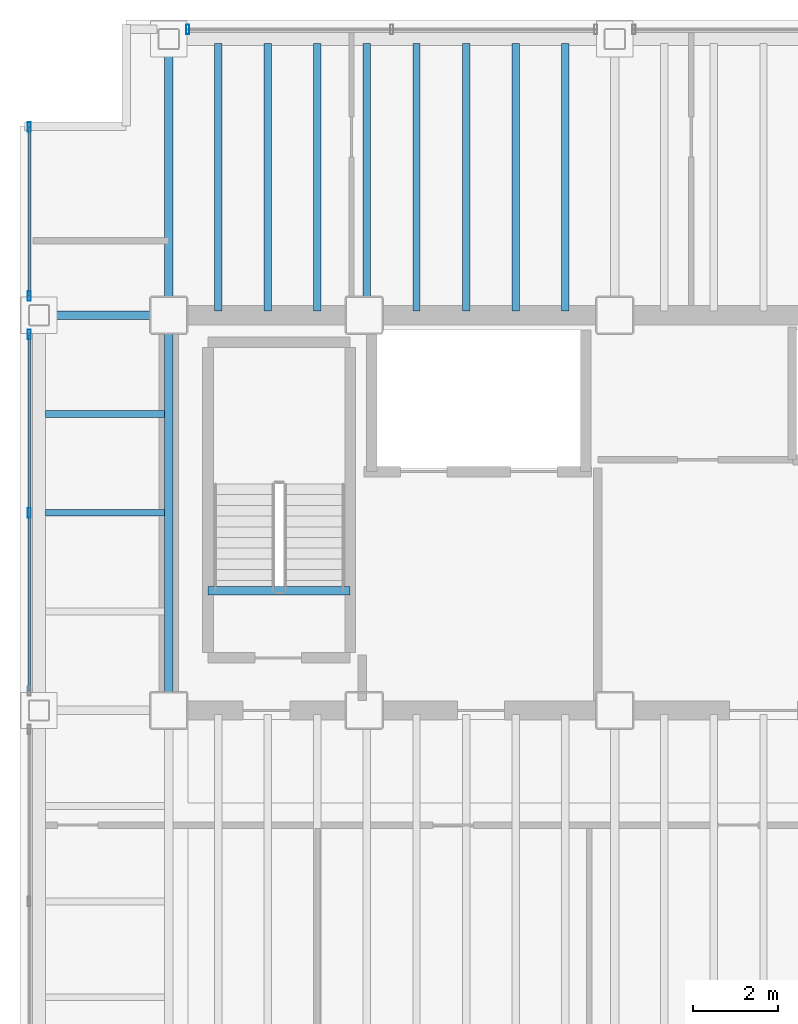
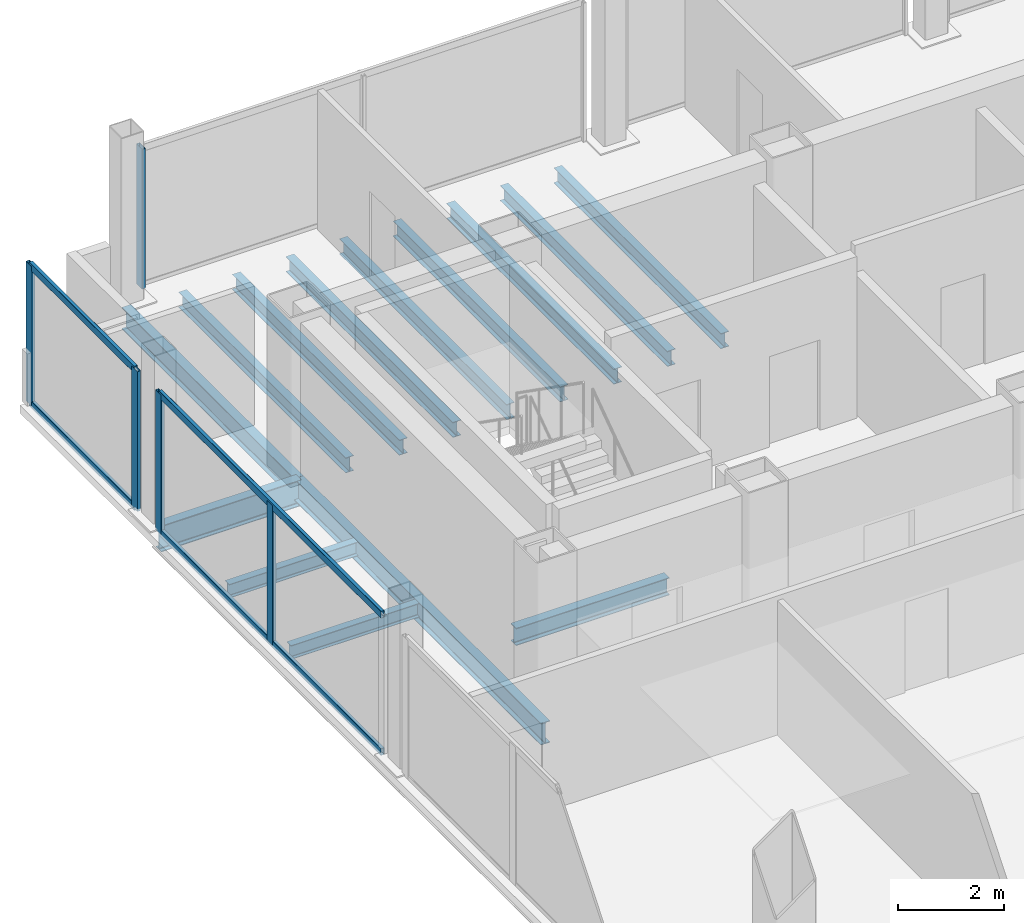
# One storey, part 6 of 16: 14 beams, 9 members, 3 elements without a shape of their own.
"""IFC4 building model written with IfcOpenShell, lengths in metres."""

from ifc_helpers import new_model, si_unit, direction, frame, origin, origin_2d, place, context, subcontext, project, spatial, hollow_rectangle, i_section, extrude, material, material_profile, profile_set, type_object, element, aggregate, save


model = new_model("IFC4")

# Units and contexts
model_context = context("Model", 3, precision=1e-05, world=origin(), true_north=direction((0.0, 1.0)))
body_context = subcontext(model_context, "Body", "Model", "MODEL_VIEW")
ifc_project = project(units=[si_unit("LENGTHUNIT", "METRE"), si_unit("AREAUNIT", "SQUARE_METRE"), si_unit("VOLUMEUNIT", "CUBIC_METRE"), si_unit("PLANEANGLEUNIT", "RADIAN"), si_unit("MASSUNIT", "GRAM", prefix="KILO")], contexts=[model_context])

# Site, building, storey
site_placement = place(None, origin())
site = spatial("IfcSite", under=ifc_project, at=site_placement, CompositionType="ELEMENT")
building_placement = place(site_placement, origin())
building = spatial("IfcBuilding", under=site, at=building_placement, Name="Noeulbin Bourse Tower", CompositionType="ELEMENT")
storey_placement = place(building_placement, frame((0.0, 0.0, 181.199951171875)))
storey = spatial("IfcBuildingStorey", under=building, at=storey_placement, Name="L45", CompositionType="ELEMENT", Elevation=181.199951171875)

# Beams
ifc_material_1 = material(Name="Steel S355", Category="steel")
ifc_material_profile_1 = material_profile(ifc_material_1, i_section(OverallWidth=0.199951171875, OverallDepth=0.5, WebThickness=0.010009765625, FlangeThickness=0.01611328125, FilletRadius=0.02001953125, at=origin_2d()), Name="H-500x200x10x16", Category="LoadBearing")
ifc_profile_set_1 = profile_set([ifc_material_profile_1], Name="Steel S355")
beam_type_1 = type_object("IfcBeamType", Name="BM-GRD-500", PredefinedType="USERDEFINED", material=ifc_profile_set_1)
beam_1_placement = place(storey_placement, frame((13.5, 29.0, -0.429931640625), z_axis=(0.0, 1.0, 0.0), x_axis=(-1.0, 0.0, 0.0)))
element("IfcBeam", 1, at=beam_1_placement, inside=storey, type_object=beam_type_1, Name="Tower Primary Girder NS L45-1.3", ObjectType="GIRDER", PredefinedType="USERDEFINED", context=body_context, shape_type="SweptSolid", body=[
    extrude(i_section(OverallWidth=0.199951171875, OverallDepth=0.5, WebThickness=0.010009765625, FlangeThickness=0.01611328125, FilletRadius=0.02001953125, at=origin_2d()), origin(), (0.0, 0.0, 1.0), 9.300048828125),
])
beam_2_placement = place(storey_placement, frame((13.5, 38.300048828125, -0.429931640625), z_axis=(0.0, 1.0, 0.0), x_axis=(-1.0, 0.0, 0.0)))
element("IfcBeam", 2, at=beam_2_placement, inside=storey, type_object=beam_type_1, Name="Tower Primary Girder NS L45-1.4", ObjectType="GIRDER", PredefinedType="USERDEFINED", context=body_context, shape_type="SweptSolid", body=[
    extrude(i_section(OverallWidth=0.199951171875, OverallDepth=0.5, WebThickness=0.010009765625, FlangeThickness=0.01611328125, FilletRadius=0.02001953125, at=origin_2d()), origin(), (0.0, 0.0, 1.0), 6.5),
])
ifc_material_profile_2 = material_profile(ifc_material_1, i_section(OverallWidth=0.199951171875, OverallDepth=0.60009765625, WebThickness=0.010986328125, FlangeThickness=0.01708984375, FilletRadius=0.02197265625, at=origin_2d()), Name="H-600x200x11x17", Category="LoadBearing")
ifc_profile_set_2 = profile_set([ifc_material_profile_2], Name="Steel S355")
beam_type_2 = type_object("IfcBeamType", Name="BM-GRD-600", PredefinedType="USERDEFINED", material=ifc_profile_set_2)
beam_3_placement = place(storey_placement, frame((10.449951171875, 38.300048828125, -0.47998046875), z_axis=(1.0, 0.0, 0.0), x_axis=(0.0, 1.0, 0.0)))
element("IfcBeam", 3, at=beam_3_placement, inside=storey, type_object=beam_type_2, Name="Tower Primary Girder EW L45-3.1", ObjectType="GIRDER", PredefinedType="USERDEFINED", context=body_context, shape_type="SweptSolid", body=[
    extrude(i_section(OverallWidth=0.199951171875, OverallDepth=0.60009765625, WebThickness=0.010986328125, FlangeThickness=0.01708984375, FilletRadius=0.02197265625, at=origin_2d()), origin(), (0.0, 0.0, 1.0), 3.050048828125),
])
ifc_material_profile_3 = material_profile(ifc_material_1, i_section(OverallWidth=0.159912109375, OverallDepth=0.320068359375, WebThickness=0.006591796875, FlangeThickness=0.010009765625, FilletRadius=0.012939453125, at=origin_2d()), Name="H-320x160x6.5x10", Category="LoadBearing")
ifc_profile_set_3 = profile_set([ifc_material_profile_3], Name="Steel S355")
beam_type_3 = type_object("IfcBeamType", Name="BM-JST-320", PredefinedType="JOIST", material=ifc_profile_set_3)
for number, where, z_axis, x_axis, name in (
    (4, (10.60009765625, 33.64990234375, -0.33984375), (1.0, 0.0, 0.0), (0.0, 1.0, 0.0), "Wing Composite Joist L45-W71"),
    (5, (10.60009765625, 35.97509765625, -0.33984375), (1.0, 0.0, 0.0), (0.0, 1.0, 0.0), "Wing Composite Joist L45-W72"),
):
    element("IfcBeam", number, at=place(storey_placement, frame(where, z_axis=z_axis, x_axis=x_axis)), inside=storey, type_object=beam_type_3, Name=name, PredefinedType="JOIST", context=body_context, shape_type="SweptSolid", body=[
        extrude(i_section(OverallWidth=0.159912109375, OverallDepth=0.320068359375, WebThickness=0.006591796875, FlangeThickness=0.010009765625, FilletRadius=0.012939453125, at=origin_2d()), origin(), (0.0, 0.0, 1.0), 2.7998046875),
    ])
ifc_material_profile_4 = material_profile(ifc_material_1, i_section(OverallWidth=0.175048828125, OverallDepth=0.35009765625, WebThickness=0.007080078125, FlangeThickness=0.010986328125, FilletRadius=0.013916015625, at=origin_2d()), Name="H-350x175x7x11", Category="LoadBearing")
ifc_profile_set_4 = profile_set([ifc_material_profile_4], Name="Steel S355")
beam_type_4 = type_object("IfcBeamType", Name="BM-JST-350", PredefinedType="JOIST", material=ifc_profile_set_4)
for number, where, z_axis, x_axis, name in (
    (6, (14.666748046875, 38.39990234375, -0.35498046875), (0.0, 1.0, 0.0), (-1.0, 0.0, 0.0), "Tower Composite Joist L45-03"),
    (7, (15.833251953125, 38.39990234375, -0.35498046875), (0.0, 1.0, 0.0), (-1.0, 0.0, 0.0), "Tower Composite Joist L45-06"),
    (8, (17.0, 38.39990234375, -0.35498046875), (0.0, 1.0, 0.0), (-1.0, 0.0, 0.0), "Tower Composite Joist L45-09"),
    (9, (18.166748046875, 38.39990234375, -0.35498046875), (0.0, 1.0, 0.0), (-1.0, 0.0, 0.0), "Tower Composite Joist L45-12"),
    (10, (19.333251953125, 38.39990234375, -0.35498046875), (0.0, 1.0, 0.0), (-1.0, 0.0, 0.0), "Tower Composite Joist L45-15"),
    (11, (20.5, 38.39990234375, -0.35498046875), (0.0, 1.0, 0.0), (-1.0, 0.0, 0.0), "Tower Composite Joist L45-18"),
    (12, (21.666748046875, 38.39990234375, -0.35498046875), (0.0, 1.0, 0.0), (-1.0, 0.0, 0.0), "Tower Composite Joist L45-21"),
    (13, (22.833251953125, 38.39990234375, -0.35498046875), (0.0, 1.0, 0.0), (-1.0, 0.0, 0.0), "Tower Composite Joist L45-24"),
):
    element("IfcBeam", number, at=place(storey_placement, frame(where, z_axis=z_axis, x_axis=x_axis)), inside=storey, type_object=beam_type_4, Name=name, PredefinedType="JOIST", context=body_context, shape_type="SweptSolid", body=[
        extrude(i_section(OverallWidth=0.175048828125, OverallDepth=0.35009765625, WebThickness=0.007080078125, FlangeThickness=0.010986328125, FilletRadius=0.013916015625, at=origin_2d()), origin(), (0.0, 0.0, 1.0), 6.300048828125),
    ])
ifc_material_profile_5 = material_profile(ifc_material_1, i_section(OverallWidth=0.199951171875, OverallDepth=0.39990234375, WebThickness=0.008056640625, FlangeThickness=0.012939453125, FilletRadius=0.01611328125, at=origin_2d()), Name="H-400x200x8x13", Category="LoadBearing")
ifc_profile_set_5 = profile_set([ifc_material_profile_5], Name="Steel S355")
beam_type_5 = type_object("IfcBeamType", Name="BM-SEC-400", PredefinedType="BEAM", material=ifc_profile_set_5)
beam_4_placement = place(storey_placement, frame((14.429931640625, 31.820068359375, -0.199951171875), z_axis=(1.0, 0.0, 0.0), x_axis=(0.0, 1.0, 0.0)))
element("IfcBeam", 14, at=beam_4_placement, inside=storey, type_object=beam_type_5, Name="Stair Threshold Trimmer Beam ST1-L45", PredefinedType="BEAM", context=body_context, shape_type="SweptSolid", body=[
    extrude(i_section(OverallWidth=0.199951171875, OverallDepth=0.39990234375, WebThickness=0.008056640625, FlangeThickness=0.012939453125, FilletRadius=0.01611328125, at=origin_2d()), origin(), (0.0, 0.0, 1.0), 3.340087890625),
])

# Curtain wall, member
ifc_material_2 = material(Name="Dark Tinted Triple Glazing", Category="glass")
curtain_wall_type = type_object("IfcCurtainWallType", Name="CW-SYS-3", PredefinedType="NOTDEFINED", material=ifc_material_2)
curtain_wall_1_placement = place(storey_placement, origin())
curtain_wall_1 = element("IfcCurtainWall", 15, at=curtain_wall_1_placement, inside=storey, type_object=curtain_wall_type, Name="Unitised Curtain Wall CW-L45-N-S1", PredefinedType="NOTDEFINED")
ifc_material_3 = material(Name="Anodised Aluminium 6063-T6", Category="aluminium")
ifc_material_profile_6 = material_profile(ifc_material_3, hollow_rectangle(XDim=0.074951171875, YDim=0.219970703125, WallThickness=0.0048828125, InnerFilletRadius=0.00244140625, OuterFilletRadius=0.0048828125, at=origin_2d()), Name="ALU-MULL-75x220x5", Category="LoadBearing")
ifc_profile_set_6 = profile_set([ifc_material_profile_6], Name="Anodised Aluminium 6063-T6")
member_type_1 = type_object("IfcMemberType", Name="CW-SYS-3-MUL", PredefinedType="MULLION", material=ifc_profile_set_6)
member_1_placement = place(storey_placement, frame((13.949951171875, 45.030029296875, -0.02001953125), z_axis=(0.0, 0.0, 1.0), x_axis=(1.0, 0.0, 0.0)))
member_1 = element("IfcMember", 16, at=member_1_placement, type_object=member_type_1, Name="Curtain Wall Mullion CW-L45-N-S1-M00", PredefinedType="MULLION", context=body_context, shape_type="SweptSolid", body=[
    extrude(hollow_rectangle(XDim=0.074951171875, YDim=0.219970703125, WallThickness=0.0048828125, InnerFilletRadius=0.00244140625, OuterFilletRadius=0.0048828125, at=origin_2d()), origin(), (0.0, 0.0, 1.0), 3.219970703125),
])
aggregate(curtain_wall_1, [member_1])

# Curtain wall, members
curtain_wall_2_placement = place(storey_placement, origin())
curtain_wall_2 = element("IfcCurtainWall", 17, at=curtain_wall_2_placement, inside=storey, type_object=curtain_wall_type, Name="Unitised Curtain Wall CW-L45-W-S2", PredefinedType="NOTDEFINED")
member_2_placement = place(storey_placement, frame((10.219970703125, 33.64990234375, -0.02001953125), z_axis=(0.0, 0.0, 1.0), x_axis=(1.0, 0.0, 0.0)))
member_2 = element("IfcMember", 18, at=member_2_placement, type_object=member_type_1, Name="Curtain Wall Mullion CW-L45-W-S2-M01", PredefinedType="MULLION", context=body_context, shape_type="SweptSolid", body=[
    extrude(hollow_rectangle(XDim=0.074951171875, YDim=0.219970703125, WallThickness=0.0048828125, InnerFilletRadius=0.00244140625, OuterFilletRadius=0.0048828125, at=origin_2d()), origin(), (0.0, 0.0, 1.0), 3.219970703125),
])
member_3_placement = place(storey_placement, frame((10.219970703125, 37.85009765625, -0.02001953125), z_axis=(0.0, 0.0, 1.0), x_axis=(1.0, 0.0, 0.0)))
member_3 = element("IfcMember", 19, at=member_3_placement, type_object=member_type_1, Name="Curtain Wall Mullion CW-L45-W-S2-M02", PredefinedType="MULLION", context=body_context, shape_type="SweptSolid", body=[
    extrude(hollow_rectangle(XDim=0.074951171875, YDim=0.219970703125, WallThickness=0.0048828125, InnerFilletRadius=0.00244140625, OuterFilletRadius=0.0048828125, at=origin_2d()), origin(), (0.0, 0.0, 1.0), 3.219970703125),
])

curtain_wall_3_placement = place(storey_placement, origin())
curtain_wall_3 = element("IfcCurtainWall", 20, at=curtain_wall_3_placement, inside=storey, type_object=curtain_wall_type, Name="Unitised Curtain Wall CW-L45-W-S3", PredefinedType="NOTDEFINED")
member_4_placement = place(storey_placement, frame((10.219970703125, 38.75, -0.02001953125), z_axis=(0.0, 0.0, 1.0), x_axis=(1.0, 0.0, 0.0)))
member_4 = element("IfcMember", 21, at=member_4_placement, type_object=member_type_1, Name="Curtain Wall Mullion CW-L45-W-S3-M00", PredefinedType="MULLION", context=body_context, shape_type="SweptSolid", body=[
    extrude(hollow_rectangle(XDim=0.074951171875, YDim=0.219970703125, WallThickness=0.0048828125, InnerFilletRadius=0.00244140625, OuterFilletRadius=0.0048828125, at=origin_2d()), origin(), (0.0, 0.0, 1.0), 3.219970703125),
])
member_5_placement = place(storey_placement, frame((10.219970703125, 42.72998046875, -0.02001953125), z_axis=(0.0, 0.0, 1.0), x_axis=(1.0, 0.0, 0.0)))
member_5 = element("IfcMember", 22, at=member_5_placement, type_object=member_type_1, Name="Curtain Wall Mullion CW-L45-W-S3-M01", PredefinedType="MULLION", context=body_context, shape_type="SweptSolid", body=[
    extrude(hollow_rectangle(XDim=0.074951171875, YDim=0.219970703125, WallThickness=0.0048828125, InnerFilletRadius=0.00244140625, OuterFilletRadius=0.0048828125, at=origin_2d()), origin(), (0.0, 0.0, 1.0), 3.219970703125),
])

# Member
ifc_material_profile_7 = material_profile(ifc_material_3, hollow_rectangle(XDim=0.074951171875, YDim=0.159912109375, WallThickness=0.0048828125, InnerFilletRadius=0.00244140625, OuterFilletRadius=0.0048828125, at=origin_2d()), Name="ALU-TRAN-75x160x5", Category="LoadBearing")
ifc_profile_set_7 = profile_set([ifc_material_profile_7], Name="Anodised Aluminium 6063-T6")
member_type_2 = type_object("IfcMemberType", Name="CW-SYS-3-TRN", PredefinedType="USERDEFINED", material=ifc_profile_set_7)
member_6_placement = place(storey_placement, frame((10.219970703125, 29.4599609375, 0.010009765625), z_axis=(0.0, 1.0, 0.0), x_axis=(-1.0, 0.0, 0.0)))
member_6 = element("IfcMember", 23, at=member_6_placement, type_object=member_type_2, Name="Curtain Wall Transom CW-L45-W-S2-T00", ObjectType="TRANSOM", PredefinedType="USERDEFINED", context=body_context, shape_type="SweptSolid", body=[
    extrude(hollow_rectangle(XDim=0.074951171875, YDim=0.159912109375, WallThickness=0.0048828125, InnerFilletRadius=0.00244140625, OuterFilletRadius=0.0048828125, at=origin_2d()), origin(), (0.0, 0.0, 1.0), 8.380126953125),
])

member_7_placement = place(storey_placement, frame((10.219970703125, 29.4599609375, 3.170166015625), z_axis=(0.0, 1.0, 0.0), x_axis=(-1.0, 0.0, 0.0)))
member_7 = element("IfcMember", 24, at=member_7_placement, type_object=member_type_2, Name="Curtain Wall Transom CW-L45-W-S2-T01", ObjectType="TRANSOM", PredefinedType="USERDEFINED", context=body_context, shape_type="SweptSolid", body=[
    extrude(hollow_rectangle(XDim=0.074951171875, YDim=0.159912109375, WallThickness=0.0048828125, InnerFilletRadius=0.00244140625, OuterFilletRadius=0.0048828125, at=origin_2d()), origin(), (0.0, 0.0, 1.0), 8.380126953125),
])

aggregate(curtain_wall_2, [member_2, member_3, member_6, member_7])

member_8_placement = place(storey_placement, frame((10.219970703125, 38.760009765625, 0.010009765625), z_axis=(0.0, 1.0, 0.0), x_axis=(-1.0, 0.0, 0.0)))
member_8 = element("IfcMember", 25, at=member_8_placement, type_object=member_type_2, Name="Curtain Wall Transom CW-L45-W-S3-T00", ObjectType="TRANSOM", PredefinedType="USERDEFINED", context=body_context, shape_type="SweptSolid", body=[
    extrude(hollow_rectangle(XDim=0.074951171875, YDim=0.159912109375, WallThickness=0.0048828125, InnerFilletRadius=0.00244140625, OuterFilletRadius=0.0048828125, at=origin_2d()), origin(), (0.0, 0.0, 1.0), 3.9599609375),
])

member_9_placement = place(storey_placement, frame((10.219970703125, 38.760009765625, 3.170166015625), z_axis=(0.0, 1.0, 0.0), x_axis=(-1.0, 0.0, 0.0)))
member_9 = element("IfcMember", 26, at=member_9_placement, type_object=member_type_2, Name="Curtain Wall Transom CW-L45-W-S3-T01", ObjectType="TRANSOM", PredefinedType="USERDEFINED", context=body_context, shape_type="SweptSolid", body=[
    extrude(hollow_rectangle(XDim=0.074951171875, YDim=0.159912109375, WallThickness=0.0048828125, InnerFilletRadius=0.00244140625, OuterFilletRadius=0.0048828125, at=origin_2d()), origin(), (0.0, 0.0, 1.0), 3.9599609375),
])

aggregate(curtain_wall_3, [member_4, member_5, member_8, member_9])

save(model, "model.ifc")
